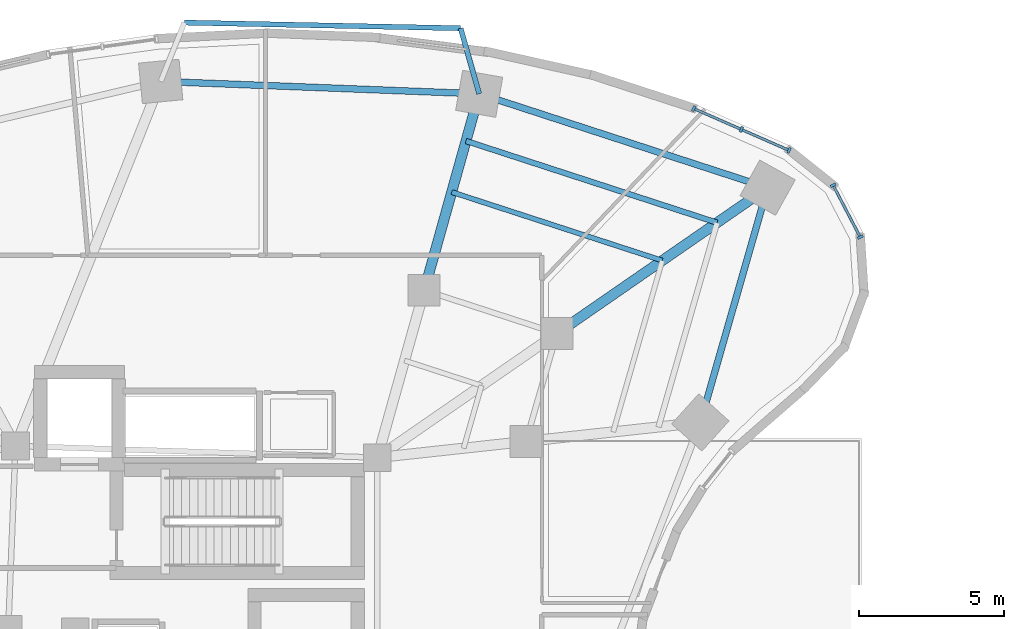
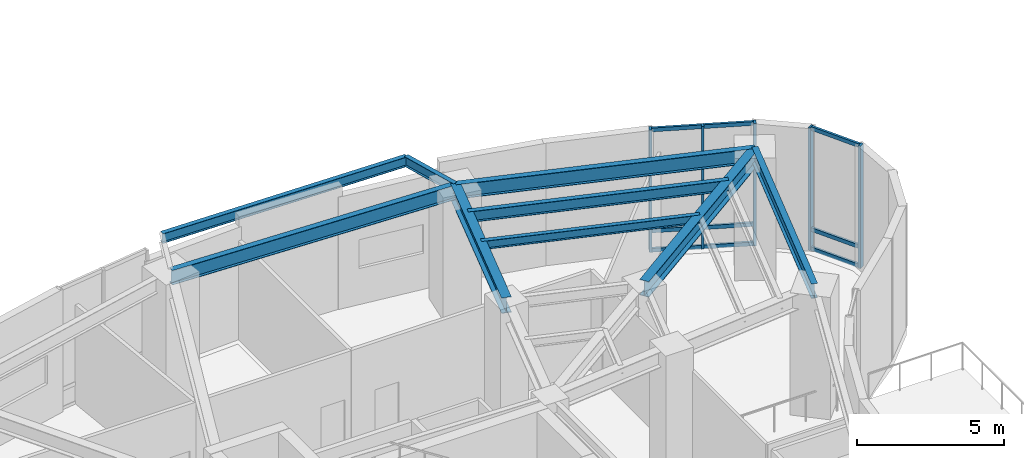
# One storey, part 7 of 19: 14 members, 9 beams, 2 elements without a shape of their own.
"""IFC4 building model written with IfcOpenShell, lengths in metres."""

from ifc_helpers import new_model, si_unit, direction, frame, origin, origin_2d, place, context, subcontext, project, spatial, rectangle, i_section, extrude, material, layer, layer_set, material_profile, profile_set, type_object, element, aggregate, save


model = new_model("IFC4")

# Units and contexts
model_context = context("Model", 3, precision=1e-05, world=origin(), true_north=direction((0.0, 1.0)))
body_context = subcontext(model_context, "Body", "Model", "MODEL_VIEW")
ifc_project = project(units=[si_unit("LENGTHUNIT", "METRE"), si_unit("AREAUNIT", "SQUARE_METRE"), si_unit("VOLUMEUNIT", "CUBIC_METRE"), si_unit("PLANEANGLEUNIT", "RADIAN"), si_unit("MASSUNIT", "GRAM", prefix="KILO")], contexts=[model_context])

# Site, building, storey
site_placement = place(None, origin())
site = spatial("IfcSite", under=ifc_project, at=site_placement, CompositionType="ELEMENT")
building_placement = place(site_placement, origin())
building = spatial("IfcBuilding", under=site, at=building_placement, Name="Korentha Bioscience Tower", CompositionType="ELEMENT")
storey_placement = place(building_placement, frame((0.0, 0.0, 20.39990234375)))
storey = spatial("IfcBuildingStorey", under=building, at=storey_placement, Name="L04", CompositionType="ELEMENT", Elevation=20.39990234375)

# Curtain wall, members
ifc_material_1 = material(Name="Stone-Clad Aluminium Frame", Category="masonry")
ifc_layer = layer(ifc_material_1, 0.219970703125, Name="Stone-Clad Aluminium Frame")
ifc_layer_set = layer_set([ifc_layer], Name="Stone-Clad Aluminium Frame (CW-P1)")
curtain_wall_type = type_object("IfcCurtainWallType", Name="Podium Double-Height Stone-Mullion Curtain Wall CW-P1", PredefinedType="USERDEFINED", material=ifc_layer_set)
curtain_wall_1_placement = place(storey_placement, origin())
curtain_wall_1 = element("IfcCurtainWall", 1, at=curtain_wall_1_placement, inside=storey, type_object=curtain_wall_type, Name="L04 Curtain Wall 01", ObjectType="UNITISED", PredefinedType="USERDEFINED")
ifc_material_2 = material(Name="Anodised Aluminium 6063-T6", Category="aluminium")
ifc_material_profile_1 = material_profile(ifc_material_2, rectangle(XDim=0.090087890625, YDim=0.199951171875, at=origin_2d()), Name="Anodised Aluminium 6063-T6")
ifc_profile_set_1 = profile_set([ifc_material_profile_1], Name="Anodised Aluminium 6063-T6 (CW-MUL)")
member_type_1 = type_object("IfcMemberType", Name="Mullion RECT 90x200", PredefinedType="MULLION", material=ifc_profile_set_1)
member_1_placement = place(storey_placement, frame((51.71337890625, 46.420654296875, 0.0), z_axis=(0.0, 0.0, 1.0), x_axis=(-0.91593909057, 0.401317308828, 0.0)))
member_1 = element("IfcMember", 2, at=member_1_placement, type_object=member_type_1, Name="CW-L04-01 Mullion 1", PredefinedType="MULLION", context=body_context, shape_type="SweptSolid", body=[
    extrude(rectangle(XDim=0.090087890625, YDim=0.199951171875, at=origin_2d()), origin(), (0.0, 0.0, 1.0), 5.10009765625),
])
member_2_placement = place(storey_placement, frame((50.072998046875, 47.139404296875, 0.0), z_axis=(0.0, 0.0, 1.0), x_axis=(-0.91593909057, 0.401317308828, 0.0)))
member_2 = element("IfcMember", 3, at=member_2_placement, type_object=member_type_1, Name="CW-L04-01 Mullion 2", PredefinedType="MULLION", context=body_context, shape_type="SweptSolid", body=[
    extrude(rectangle(XDim=0.090087890625, YDim=0.199951171875, at=origin_2d()), origin(), (0.0, 0.0, 1.0), 5.10009765625),
])
member_3_placement = place(storey_placement, frame((48.43212890625, 47.8583984375, 0.0), z_axis=(0.0, 0.0, 1.0), x_axis=(-0.91593909057, 0.401317308828, 0.0)))
member_3 = element("IfcMember", 4, at=member_3_placement, type_object=member_type_1, Name="CW-L04-01 Mullion 3", PredefinedType="MULLION", context=body_context, shape_type="SweptSolid", body=[
    extrude(rectangle(XDim=0.090087890625, YDim=0.199951171875, at=origin_2d()), origin(), (0.0, 0.0, 1.0), 5.10009765625),
])

curtain_wall_2_placement = place(storey_placement, origin())
curtain_wall_2 = element("IfcCurtainWall", 5, at=curtain_wall_2_placement, inside=storey, type_object=curtain_wall_type, Name="L04 Curtain Wall 61", ObjectType="UNITISED", PredefinedType="USERDEFINED")
member_4_placement = place(storey_placement, frame((54.163330078125, 43.435302734375, 0.0), z_axis=(0.0, 0.0, 1.0), x_axis=(-0.463008597697, 0.886353788539, 0.0)))
member_4 = element("IfcMember", 6, at=member_4_placement, type_object=member_type_1, Name="CW-L04-61 Mullion 1", PredefinedType="MULLION", context=body_context, shape_type="SweptSolid", body=[
    extrude(rectangle(XDim=0.090087890625, YDim=0.199951171875, at=origin_2d()), origin(), (0.0, 0.0, 1.0), 5.10009765625),
])
member_5_placement = place(storey_placement, frame((53.22900390625, 45.2236328125, 0.0), z_axis=(0.0, 0.0, 1.0), x_axis=(-0.463008597697, 0.886353788539, 0.0)))
member_5 = element("IfcMember", 7, at=member_5_placement, type_object=member_type_1, Name="CW-L04-61 Mullion 2", PredefinedType="MULLION", context=body_context, shape_type="SweptSolid", body=[
    extrude(rectangle(XDim=0.090087890625, YDim=0.199951171875, at=origin_2d()), origin(), (0.0, 0.0, 1.0), 5.10009765625),
])

# Beams
ifc_material_3 = material(Name="Steel S355", Category="steel")
ifc_material_profile_2 = material_profile(ifc_material_3, i_section(OverallWidth=0.22802734375, OverallDepth=0.60791015625, WebThickness=0.01123046875, FlangeThickness=0.017333984375, at=origin_2d()), Name="Steel S355")
ifc_profile_set_2 = profile_set([ifc_material_profile_2], Name="Steel S355 (SB-610)")
beam_type_1 = type_object("IfcBeamType", Name="Perimeter Ring Spandrel Girder W610x113", PredefinedType="SPANDREL", material=ifc_profile_set_2)
beam_1_placement = place(storey_placement, frame((50.977294921875, 45.135498046875, 4.796142578125), z_axis=(-0.95087511444, 0.309574735305, 0.0), x_axis=(-0.309574735305, -0.95087511444, 0.0)))
element("IfcBeam", 8, at=beam_1_placement, inside=storey, type_object=beam_type_1, Name="L04 Perimeter Spandrel Girder 01", PredefinedType="SPANDREL", context=body_context, shape_type="SweptSolid", body=[
    extrude(i_section(OverallWidth=0.22802734375, OverallDepth=0.60791015625, WebThickness=0.01123046875, FlangeThickness=0.017333984375, at=origin_2d()), origin(), (0.0, 0.0, 1.0), 10.4375),
])
beam_2_placement = place(storey_placement, frame((41.052490234375, 48.36669921875, 4.796142578125), z_axis=(-0.999246003889, 0.03882555488, 0.0), x_axis=(-0.03882555488, -0.999246003889, 0.0)))
element("IfcBeam", 9, at=beam_2_placement, inside=storey, type_object=beam_type_1, Name="L04 Perimeter Spandrel Girder 02", PredefinedType="SPANDREL", context=body_context, shape_type="SweptSolid", body=[
    extrude(i_section(OverallWidth=0.22802734375, OverallDepth=0.60791015625, WebThickness=0.01123046875, FlangeThickness=0.017333984375, at=origin_2d()), origin(), (0.0, 0.0, 1.0), 10.966552734375),
])
beam_3_placement = place(storey_placement, frame((48.661865234375, 37.060791015625, 4.796142578125), z_axis=(0.275642273411, 0.961260285827, 0.0), x_axis=(-0.961260285827, 0.275642273411, 0.0)))
element("IfcBeam", 10, at=beam_3_placement, inside=storey, type_object=beam_type_1, Name="L04 Perimeter Spandrel Girder 16", PredefinedType="SPANDREL", context=body_context, shape_type="SweptSolid", body=[
    extrude(i_section(OverallWidth=0.22802734375, OverallDepth=0.60791015625, WebThickness=0.01123046875, FlangeThickness=0.017333984375, at=origin_2d()), origin(), (0.0, 0.0, 1.0), 8.400146484375),
])
ifc_material_profile_3 = material_profile(ifc_material_3, i_section(OverallWidth=0.18994140625, OverallDepth=0.45703125, WebThickness=0.009033203125, FlangeThickness=0.014404296875, at=origin_2d()), Name="Steel S355")
ifc_profile_set_3 = profile_set([ifc_material_profile_3], Name="Steel S355 (RB-460)")
beam_type_2 = type_object("IfcBeamType", Name="Radial Laboratory Beam W460x74", PredefinedType="BEAM", material=ifc_profile_set_3)
beam_4_placement = place(storey_placement, frame((49.2373046875, 43.931884765625, 4.87158203125), z_axis=(-0.95087437499, 0.309577006554, 0.0), x_axis=(-0.309577006554, -0.95087437499, 0.0)))
element("IfcBeam", 11, at=beam_4_placement, inside=storey, type_object=beam_type_2, Name="L04 Secondary Floor Beam JSTO-01", PredefinedType="BEAM", context=body_context, shape_type="SweptSolid", body=[
    extrude(i_section(OverallWidth=0.18994140625, OverallDepth=0.45703125, WebThickness=0.009033203125, FlangeThickness=0.014404296875, at=origin_2d()), origin(), (0.0, 0.0, 1.0), 9.0849609375),
])
ifc_material_profile_4 = material_profile(ifc_material_3, i_section(OverallWidth=0.35009765625, OverallDepth=0.64990234375, WebThickness=0.01611328125, FlangeThickness=0.02490234375, at=origin_2d()), Name="Steel S355")
ifc_profile_set_4 = profile_set([ifc_material_profile_4], Name="Steel S355 (RB-650)")
beam_type_3 = type_object("IfcBeamType", Name="Radial Laboratory Girder CVS 650x208", PredefinedType="BEAM", material=ifc_profile_set_4)
beam_5_placement = place(storey_placement, frame((43.7265625, 40.121337890625, 4.775146484375), z_axis=(0.822488186113, 0.568782193555, 0.0), x_axis=(-0.568782193555, 0.822488186113, 0.0)))
element("IfcBeam", 12, at=beam_5_placement, inside=storey, type_object=beam_type_3, Name="L04 Outer Radial Girder 01", PredefinedType="BEAM", context=body_context, shape_type="SweptSolid", body=[
    extrude(i_section(OverallWidth=0.35009765625, OverallDepth=0.64990234375, WebThickness=0.01611328125, FlangeThickness=0.02490234375, at=origin_2d()), origin(), (0.0, 0.0, 1.0), 8.815673828125),
])
beam_6_placement = place(storey_placement, frame((39.1611328125, 41.607666015625, 4.775146484375), z_axis=(0.269475095129, 0.963007358801, 0.0), x_axis=(-0.963007358801, 0.269475095129, 0.0)))
element("IfcBeam", 13, at=beam_6_placement, inside=storey, type_object=beam_type_3, Name="L04 Outer Radial Girder 02", PredefinedType="BEAM", context=body_context, shape_type="SweptSolid", body=[
    extrude(i_section(OverallWidth=0.35009765625, OverallDepth=0.64990234375, WebThickness=0.01611328125, FlangeThickness=0.02490234375, at=origin_2d()), origin(), (0.0, 0.0, 1.0), 7.0185546875),
])
ifc_material_profile_5 = material_profile(ifc_material_3, i_section(OverallWidth=0.1708984375, OverallDepth=0.35498046875, WebThickness=0.007080078125, FlangeThickness=0.01171875, at=origin_2d()), Name="Steel S355")
ifc_profile_set_5 = profile_set([ifc_material_profile_5], Name="Steel S355 (JB-360)")
beam_type_4 = type_object("IfcBeamType", Name="Secondary Laboratory Joist W360x51", PredefinedType="JOIST", material=ifc_profile_set_5)
beam_7_placement = place(storey_placement, frame((47.35205078125, 42.62841796875, 4.922607421875), z_axis=(-0.950870992772, 0.309587394938, 0.0), x_axis=(-0.309587394938, -0.950870992772, 0.0)))
element("IfcBeam", 14, at=beam_7_placement, inside=storey, type_object=beam_type_4, Name="L04 Secondary Floor Beam JST-01", PredefinedType="JOIST", context=body_context, shape_type="SweptSolid", body=[
    extrude(i_section(OverallWidth=0.1708984375, OverallDepth=0.35498046875, WebThickness=0.007080078125, FlangeThickness=0.01171875, at=origin_2d()), origin(), (0.0, 0.0, 1.0), 7.619384765625),
])
ifc_material_profile_6 = material_profile(ifc_material_3, i_section(OverallWidth=0.177978515625, OverallDepth=0.406982421875, WebThickness=0.0078125, FlangeThickness=0.0126953125, at=origin_2d()), Name="Steel S355")
ifc_profile_set_6 = profile_set([ifc_material_profile_6], Name="Steel S355 (CB-410)")
beam_type_5 = type_object("IfcBeamType", Name="Sun-Ledge Cantilever Beam W410x60", PredefinedType="BEAM", material=ifc_profile_set_6)
beam_8_placement = place(storey_placement, frame((41.052490234375, 48.36669921875, 4.898681640625), z_axis=(-0.272575265029, 0.962134463001, 0.0), x_axis=(-0.962134463001, -0.272575265029, 0.0)))
element("IfcBeam", 15, at=beam_8_placement, inside=storey, type_object=beam_type_5, Name="L04 Balcony Cantilever Bracket A-L05-01", PredefinedType="BEAM", context=body_context, shape_type="SweptSolid", body=[
    extrude(i_section(OverallWidth=0.177978515625, OverallDepth=0.406982421875, WebThickness=0.0078125, FlangeThickness=0.0126953125, at=origin_2d()), origin(), (0.0, 0.0, 1.0), 2.344970703125),
])
beam_9_placement = place(storey_placement, frame((40.413330078125, 50.622802734375, 4.898681640625), z_axis=(-0.999790533568, 0.020466777676, 0.0), x_axis=(-0.020466777676, -0.999790533568, 0.0)))
element("IfcBeam", 16, at=beam_9_placement, inside=storey, type_object=beam_type_5, Name="L04 Balcony Edge Trimmer Beam L05-01", PredefinedType="BEAM", context=body_context, shape_type="SweptSolid", body=[
    extrude(i_section(OverallWidth=0.177978515625, OverallDepth=0.406982421875, WebThickness=0.0078125, FlangeThickness=0.0126953125, at=origin_2d()), origin(), (0.0, 0.0, 1.0), 9.507080078125),
])

# Member
ifc_material_profile_7 = material_profile(ifc_material_2, rectangle(XDim=0.090087890625, YDim=0.159912109375, at=origin_2d()), Name="Anodised Aluminium 6063-T6")
ifc_profile_set_7 = profile_set([ifc_material_profile_7], Name="Anodised Aluminium 6063-T6 (CW-TRN)")
member_type_2 = type_object("IfcMemberType", Name="Transom RECT 90x160", PredefinedType="USERDEFINED", material=ifc_profile_set_7)
member_6_placement = place(storey_placement, frame((51.67236328125, 46.438720703125, 0.045166015625), z_axis=(-0.915976098914, 0.401232832926, 0.0), x_axis=(-0.401232832926, -0.915976098914, 0.0)))
member_6 = element("IfcMember", 17, at=member_6_placement, type_object=member_type_2, Name="CW-L04-01 Bay 1 Transom 1", ObjectType="TRANSOM", PredefinedType="USERDEFINED", context=body_context, shape_type="SweptSolid", body=[
    extrude(rectangle(XDim=0.090087890625, YDim=0.159912109375, at=origin_2d()), origin(), (0.0, 0.0, 1.0), 1.701416015625),
])

member_7_placement = place(storey_placement, frame((51.67236328125, 46.438720703125, 0.85009765625), z_axis=(-0.915976098914, 0.401232832926, 0.0), x_axis=(-0.401232832926, -0.915976098914, 0.0)))
member_7 = element("IfcMember", 18, at=member_7_placement, type_object=member_type_2, Name="CW-L04-01 Bay 1 Transom 2", ObjectType="TRANSOM", PredefinedType="USERDEFINED", context=body_context, shape_type="SweptSolid", body=[
    extrude(rectangle(XDim=0.090087890625, YDim=0.159912109375, at=origin_2d()), origin(), (0.0, 0.0, 1.0), 1.701416015625),
])

member_8_placement = place(storey_placement, frame((51.67236328125, 46.438720703125, 5.05517578125), z_axis=(-0.915976098914, 0.401232832926, 0.0), x_axis=(-0.401232832926, -0.915976098914, 0.0)))
member_8 = element("IfcMember", 19, at=member_8_placement, type_object=member_type_2, Name="CW-L04-01 Bay 1 Transom 3", ObjectType="TRANSOM", PredefinedType="USERDEFINED", context=body_context, shape_type="SweptSolid", body=[
    extrude(rectangle(XDim=0.090087890625, YDim=0.159912109375, at=origin_2d()), origin(), (0.0, 0.0, 1.0), 1.701416015625),
])

member_9_placement = place(storey_placement, frame((50.031494140625, 47.15771484375, 0.045166015625), z_axis=(-0.915952992218, 0.401285579167, 0.0), x_axis=(-0.401285579167, -0.915952992218, 0.0)))
member_9 = element("IfcMember", 20, at=member_9_placement, type_object=member_type_2, Name="CW-L04-01 Bay 2 Transom 1", ObjectType="TRANSOM", PredefinedType="USERDEFINED", context=body_context, shape_type="SweptSolid", body=[
    extrude(rectangle(XDim=0.090087890625, YDim=0.159912109375, at=origin_2d()), origin(), (0.0, 0.0, 1.0), 1.701171875),
])

member_10_placement = place(storey_placement, frame((50.031494140625, 47.15771484375, 0.85009765625), z_axis=(-0.915952992218, 0.401285579167, 0.0), x_axis=(-0.401285579167, -0.915952992218, 0.0)))
member_10 = element("IfcMember", 21, at=member_10_placement, type_object=member_type_2, Name="CW-L04-01 Bay 2 Transom 2", ObjectType="TRANSOM", PredefinedType="USERDEFINED", context=body_context, shape_type="SweptSolid", body=[
    extrude(rectangle(XDim=0.090087890625, YDim=0.159912109375, at=origin_2d()), origin(), (0.0, 0.0, 1.0), 1.701171875),
])

member_11_placement = place(storey_placement, frame((50.031494140625, 47.15771484375, 5.05517578125), z_axis=(-0.915952992218, 0.401285579167, 0.0), x_axis=(-0.401285579167, -0.915952992218, 0.0)))
member_11 = element("IfcMember", 22, at=member_11_placement, type_object=member_type_2, Name="CW-L04-01 Bay 2 Transom 3", ObjectType="TRANSOM", PredefinedType="USERDEFINED", context=body_context, shape_type="SweptSolid", body=[
    extrude(rectangle(XDim=0.090087890625, YDim=0.159912109375, at=origin_2d()), origin(), (0.0, 0.0, 1.0), 1.701171875),
])

aggregate(curtain_wall_1, [member_1, member_2, member_3, member_6, member_7, member_8, member_9, member_10, member_11])

member_12_placement = place(storey_placement, frame((54.142333984375, 43.47509765625, 0.045166015625), z_axis=(-0.462899248902, 0.886410900974, 0.0), x_axis=(-0.886410900974, -0.462899248902, 0.0)))
member_12 = element("IfcMember", 23, at=member_12_placement, type_object=member_type_2, Name="CW-L04-61 Bay 1 Transom 1", ObjectType="TRANSOM", PredefinedType="USERDEFINED", context=body_context, shape_type="SweptSolid", body=[
    extrude(rectangle(XDim=0.090087890625, YDim=0.159912109375, at=origin_2d()), origin(), (0.0, 0.0, 1.0), 1.927734375),
])

member_13_placement = place(storey_placement, frame((54.142333984375, 43.47509765625, 0.85009765625), z_axis=(-0.462899248902, 0.886410900974, 0.0), x_axis=(-0.886410900974, -0.462899248902, 0.0)))
member_13 = element("IfcMember", 24, at=member_13_placement, type_object=member_type_2, Name="CW-L04-61 Bay 1 Transom 2", ObjectType="TRANSOM", PredefinedType="USERDEFINED", context=body_context, shape_type="SweptSolid", body=[
    extrude(rectangle(XDim=0.090087890625, YDim=0.159912109375, at=origin_2d()), origin(), (0.0, 0.0, 1.0), 1.927734375),
])

member_14_placement = place(storey_placement, frame((54.142333984375, 43.47509765625, 5.05517578125), z_axis=(-0.462899248902, 0.886410900974, 0.0), x_axis=(-0.886410900974, -0.462899248902, 0.0)))
member_14 = element("IfcMember", 25, at=member_14_placement, type_object=member_type_2, Name="CW-L04-61 Bay 1 Transom 3", ObjectType="TRANSOM", PredefinedType="USERDEFINED", context=body_context, shape_type="SweptSolid", body=[
    extrude(rectangle(XDim=0.090087890625, YDim=0.159912109375, at=origin_2d()), origin(), (0.0, 0.0, 1.0), 1.927734375),
])

aggregate(curtain_wall_2, [member_4, member_5, member_12, member_13, member_14])

save(model, "model.ifc")
